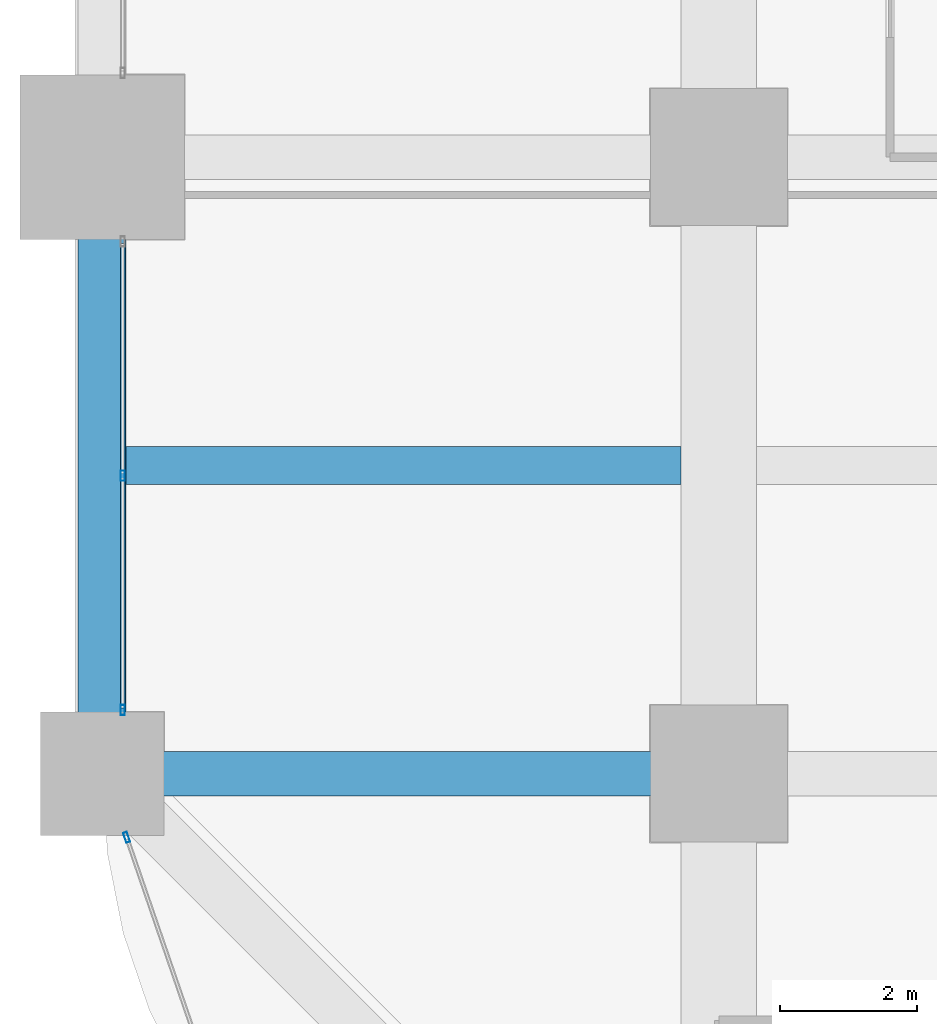
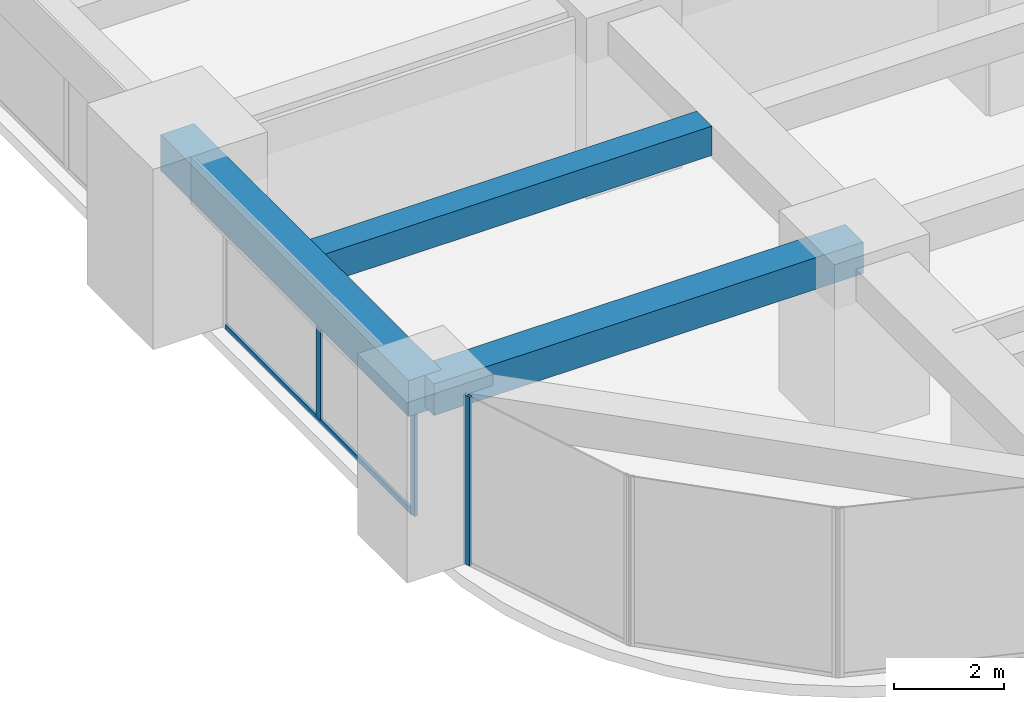
# One storey, part 4 of 41: 4 members, 3 beams, 2 elements without a shape of their own.
"""IFC4 building model written with IfcOpenShell, lengths in metres."""

from ifc_helpers import new_model, si_unit, direction, frame, origin, origin_2d, place, context, subcontext, project, spatial, rectangle, hollow_rectangle, extrude, material, material_profile, profile_set, type_object, element, aggregate, save


model = new_model("IFC4")

# Units and contexts
model_context = context("Model", 3, precision=1e-05, world=origin(), true_north=direction((0.0, 1.0)))
body_context = subcontext(model_context, "Body", "Model", "MODEL_VIEW")
ifc_project = project(units=[si_unit("LENGTHUNIT", "METRE"), si_unit("AREAUNIT", "SQUARE_METRE"), si_unit("VOLUMEUNIT", "CUBIC_METRE"), si_unit("PLANEANGLEUNIT", "RADIAN"), si_unit("MASSUNIT", "GRAM", prefix="KILO")], contexts=[model_context])

# Site, building, storey
site_placement = place(None, origin())
site = spatial("IfcSite", under=ifc_project, at=site_placement, CompositionType="ELEMENT")
building_placement = place(site_placement, origin())
building = spatial("IfcBuilding", under=site, at=building_placement, Name="Zorevar Civic Tower", CompositionType="ELEMENT")
storey_placement = place(building_placement, frame((0.0, 0.0, 105.0)))
storey = spatial("IfcBuildingStorey", under=building, at=storey_placement, Name="L25", CompositionType="ELEMENT", Elevation=105.0)

# Beams
ifc_material_1 = material(Name="Concrete C50/60", Category="concrete")
ifc_material_profile_1 = material_profile(ifc_material_1, rectangle(XDim=0.550048828125, YDim=0.64990234375, at=origin_2d()), Name="RC 550x650")
ifc_profile_set_1 = profile_set([ifc_material_profile_1], Name="Concrete C50/60")
beam_type_1 = type_object("IfcBeamType", Name="Beam RC 550x650", PredefinedType="BEAM", material=ifc_profile_set_1)
beam_1_placement = place(storey_placement, frame((0.35009765625, 13.5, 3.425048828125), z_axis=(1.0, 0.0, 0.0), x_axis=(0.0, 1.0, 0.0)))
element("IfcBeam", 1, at=beam_1_placement, inside=storey, type_object=beam_type_1, Name="Secondary beam L26", PredefinedType="BEAM", context=body_context, shape_type="SweptSolid", body=[
    extrude(rectangle(XDim=0.550048828125, YDim=0.64990234375, at=origin_2d()), origin(), (0.0, 0.0, 1.0), 8.099853515625),
])
ifc_material_2 = material(Name="Concrete C50/60", Category="concrete")
ifc_material_profile_2 = material_profile(ifc_material_2, rectangle(XDim=0.64990234375, YDim=0.699951171875, at=origin_2d()), Name="RC 650x700")
ifc_profile_set_2 = profile_set([ifc_material_profile_2], Name="Concrete C50/60")
beam_type_2 = type_object("IfcBeamType", Name="Beam RC 650x700", PredefinedType="BEAM", material=ifc_profile_set_2)
beam_2_placement = place(storey_placement, frame((0.0, 9.0, 3.39990234375), z_axis=(1.0, 0.0, 0.0), x_axis=(0.0, 1.0, 0.0)))
element("IfcBeam", 2, at=beam_2_placement, inside=storey, type_object=beam_type_2, Name="Girder L26", PredefinedType="BEAM", context=body_context, shape_type="SweptSolid", body=[
    extrude(rectangle(XDim=0.64990234375, YDim=0.699951171875, at=origin_2d()), origin(), (0.0, 0.0, 1.0), 9.0),
])

# Curtain wall, members
ifc_material_3 = material(Name="Dark grey solar-control glass in black aluminium frame", Category="aluminium")
curtain_wall_type = type_object("IfcCurtainWallType", Name="Curtain wall CW3 mid zone", PredefinedType="NOTDEFINED", material=ifc_material_3)
curtain_wall_1_placement = place(storey_placement, origin())
curtain_wall_1 = element("IfcCurtainWall", 3, at=curtain_wall_1_placement, inside=storey, type_object=curtain_wall_type, Name="CW3 L25", PredefinedType="NOTDEFINED")
ifc_material_4 = material(Name="Aluminium, black anodised", Category="aluminium")
ifc_material_profile_3 = material_profile(ifc_material_4, hollow_rectangle(XDim=0.06005859375, YDim=0.14990234375, WallThickness=0.00390625, at=origin_2d()), Name="AL 150x60x4")
ifc_profile_set_3 = profile_set([ifc_material_profile_3], Name="Aluminium, black anodised")
member_type_1 = type_object("IfcMemberType", Name="CW3 mullion AL 150x60x4", PredefinedType="MULLION", material=ifc_profile_set_3)
member_1_placement = place(storey_placement, frame((0.300048828125, 9.929931640625, 0.0), z_axis=(0.0, 0.0, 1.0), x_axis=(-1.0, 0.0, 0.0)))
member_1 = element("IfcMember", 4, at=member_1_placement, type_object=member_type_1, Name="CW3 mullion 1", PredefinedType="MULLION", context=body_context, shape_type="SweptSolid", body=[
    extrude(hollow_rectangle(XDim=0.06005859375, YDim=0.14990234375, WallThickness=0.00390625, at=origin_2d()), origin(), (0.0, 0.0, 1.0), 2.949951171875),
])
member_2_placement = place(storey_placement, frame((0.300048828125, 13.35009765625, 0.06005859375), z_axis=(0.0, 0.0, 1.0), x_axis=(-1.0, 0.0, 0.0)))
member_2 = element("IfcMember", 5, at=member_2_placement, type_object=member_type_1, Name="CW3 mullion 2", PredefinedType="MULLION", context=body_context, shape_type="SweptSolid", body=[
    extrude(hollow_rectangle(XDim=0.06005859375, YDim=0.14990234375, WallThickness=0.00390625, at=origin_2d()), origin(), (0.0, 0.0, 1.0), 2.889892578125),
])

# Curtain wall, member
curtain_wall_2_placement = place(storey_placement, origin())
curtain_wall_2 = element("IfcCurtainWall", 6, at=curtain_wall_2_placement, inside=storey, type_object=curtain_wall_type, Name="CW3 L25", PredefinedType="NOTDEFINED")
member_3_placement = place(storey_placement, frame((0.3564453125, 8.071533203125, 0.0), z_axis=(0.0, 0.0, 1.0), x_axis=(0.945755772794, 0.324878466857, 0.0)))
member_3 = element("IfcMember", 7, at=member_3_placement, type_object=member_type_1, Name="CW3 mullion 1", PredefinedType="MULLION", context=body_context, shape_type="SweptSolid", body=[
    extrude(hollow_rectangle(XDim=0.06005859375, YDim=0.14990234375, WallThickness=0.00390625, at=origin_2d()), origin(), (0.0, 0.0, 1.0), 3.75),
])
aggregate(curtain_wall_2, [member_3])

# Member
ifc_material_5 = material(Name="Aluminium, black anodised", Category="aluminium")
ifc_material_profile_4 = material_profile(ifc_material_5, hollow_rectangle(XDim=0.06005859375, YDim=0.1201171875, WallThickness=0.0029296875, at=origin_2d()), Name="AL 120x60x3")
ifc_profile_set_4 = profile_set([ifc_material_profile_4], Name="Aluminium, black anodised")
member_type_2 = type_object("IfcMemberType", Name="CW3 transom AL 120x60x3", PredefinedType="USERDEFINED", material=ifc_profile_set_4)
member_4_placement = place(storey_placement, frame((0.300048828125, 9.9599609375, 0.030029296875), z_axis=(0.0, 1.0, 0.0), x_axis=(-1.0, 0.0, 0.0)))
member_4 = element("IfcMember", 8, at=member_4_placement, type_object=member_type_2, Name="CW3 sill transom", ObjectType="TRANSOM", PredefinedType="USERDEFINED", context=body_context, shape_type="SweptSolid", body=[
    extrude(hollow_rectangle(XDim=0.06005859375, YDim=0.1201171875, WallThickness=0.0029296875, at=origin_2d()), origin(), (0.0, 0.0, 1.0), 6.780029296875),
])

aggregate(curtain_wall_1, [member_1, member_2, member_4])

# Beam
ifc_material_6 = material(Name="Concrete C50/60", Category="concrete")
ifc_material_profile_5 = material_profile(ifc_material_6, rectangle(XDim=0.699951171875, YDim=0.800048828125, at=origin_2d()), Name="RC 700x800")
ifc_profile_set_5 = profile_set([ifc_material_profile_5], Name="Concrete C50/60")
beam_type_3 = type_object("IfcBeamType", Name="Edge beam RC 700x800", PredefinedType="SPANDREL", material=ifc_profile_set_5)
beam_3_placement = place(storey_placement, frame((0.0, 9.0, 3.35009765625), z_axis=(0.0, 1.0, 0.0), x_axis=(-1.0, 0.0, 0.0)))
element("IfcBeam", 9, at=beam_3_placement, inside=storey, type_object=beam_type_3, Name="Edge beam L26", PredefinedType="SPANDREL", context=body_context, shape_type="SweptSolid", body=[
    extrude(rectangle(XDim=0.699951171875, YDim=0.800048828125, at=origin_2d()), origin(), (0.0, 0.0, 1.0), 9.0),
])

save(model, "model.ifc")
